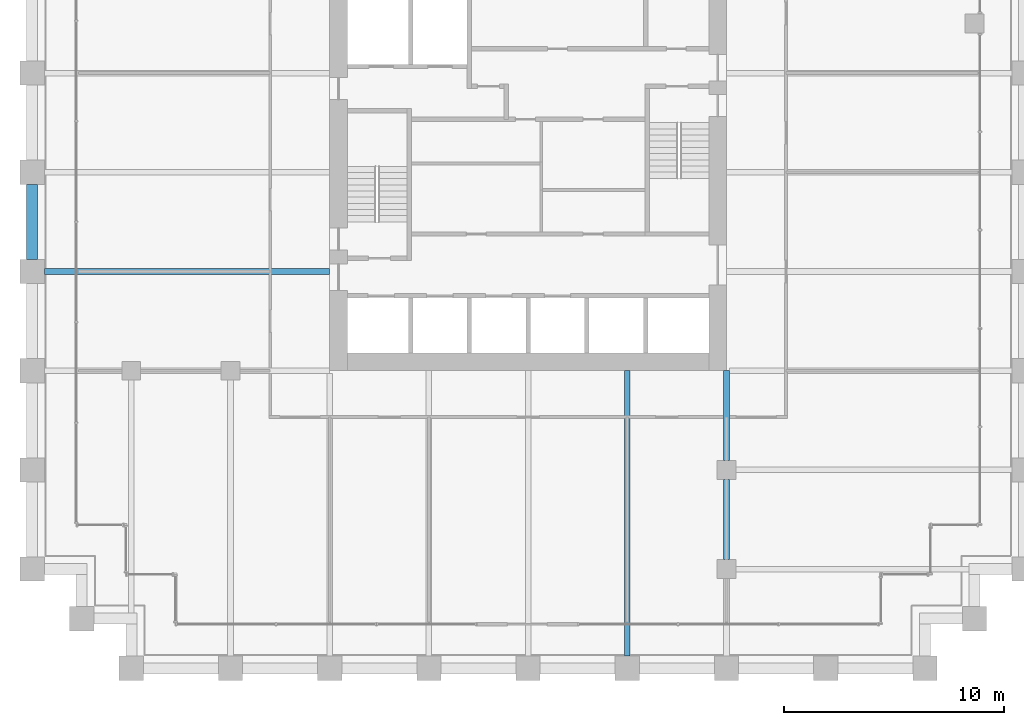
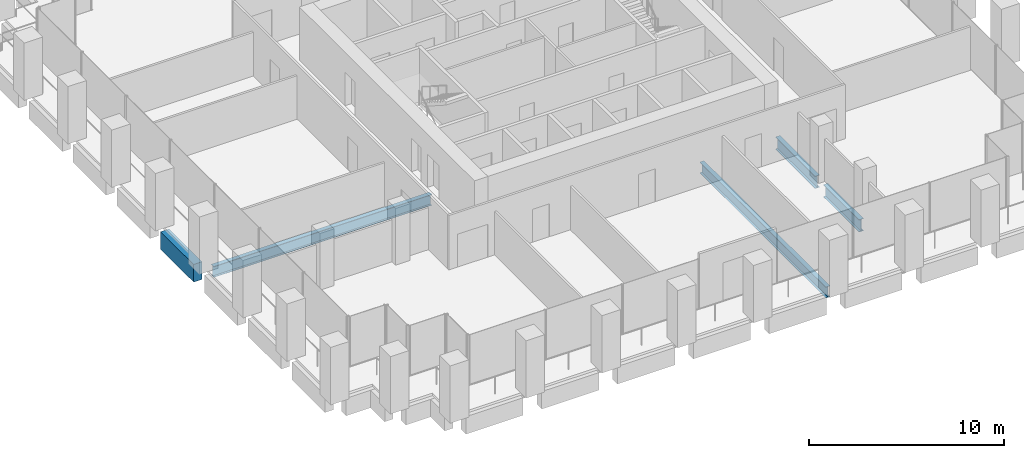
# One storey, part 10 of 56: 5 beams.
"""IFC4 building model written with IfcOpenShell, lengths in metres."""

from ifc_helpers import new_model, si_unit, direction, frame, origin, origin_2d, place, context, subcontext, project, spatial, rectangle, i_section, extrude, material, material_profile, profile_set, type_object, element, save


model = new_model("IFC4")

# Units and contexts
model_context = context("Model", 3, precision=1e-05, world=origin(), true_north=direction((0.0, 1.0)))
body_context = subcontext(model_context, "Body", "Model", "MODEL_VIEW")
ifc_project = project(units=[si_unit("LENGTHUNIT", "METRE"), si_unit("AREAUNIT", "SQUARE_METRE"), si_unit("VOLUMEUNIT", "CUBIC_METRE"), si_unit("PLANEANGLEUNIT", "RADIAN"), si_unit("MASSUNIT", "GRAM", prefix="KILO")], contexts=[model_context])

# Site, building, storey
site_placement = place(None, origin())
site = spatial("IfcSite", under=ifc_project, at=site_placement, CompositionType="ELEMENT")
building_placement = place(site_placement, origin())
building = spatial("IfcBuilding", under=site, at=building_placement, Name="Altepetl Exchange Towers", CompositionType="ELEMENT")
storey_placement = place(building_placement, frame((0.0, 0.0, 51.0)))
storey = spatial("IfcBuildingStorey", under=building, at=storey_placement, Name="L11", CompositionType="ELEMENT", Elevation=51.0)

# Beams
ifc_material_1 = material(Name="Steel S355", Category="steel")
ifc_material_profile_1 = material_profile(ifc_material_1, i_section(OverallWidth=0.25390625, OverallDepth=0.68408203125, WebThickness=0.012451171875, FlangeThickness=0.018798828125, at=origin_2d()), Name="W27X94")
ifc_profile_set_1 = profile_set([ifc_material_profile_1], Name="Steel S355")
beam_type_1 = type_object("IfcBeamType", Name="Floor beam W27X94", PredefinedType="BEAM", material=ifc_profile_set_1)
for number, where, z_axis, x_axis, name in (
    (1, (54.0, 27.550048828125, -0.491943359375), (0.0, 1.0, 0.0), (-1.0, 0.0, 0.0), "bm:A:L11:017"),
    (2, (27.550048828125, 45.0, -0.491943359375), (1.0, 0.0, 0.0), (0.0, 1.0, 0.0), "bm:A:L11:018"),
):
    element("IfcBeam", number, at=place(storey_placement, frame(where, z_axis=z_axis, x_axis=x_axis)), inside=storey, type_object=beam_type_1, Name=name, PredefinedType="BEAM", context=body_context, shape_type="SweptSolid", body=[
        extrude(i_section(OverallWidth=0.25390625, OverallDepth=0.68408203125, WebThickness=0.012451171875, FlangeThickness=0.018798828125, at=origin_2d()), origin(), (0.0, 0.0, 1.0), 12.949951171875),
    ])
ifc_material_profile_2 = material_profile(ifc_material_1, i_section(OverallWidth=0.26806640625, OverallDepth=0.77392578125, WebThickness=0.015380859375, FlangeThickness=0.025390625, at=origin_2d()), Name="W30X132")
ifc_profile_set_2 = profile_set([ifc_material_profile_2], Name="Steel S355")
beam_type_2 = type_object("IfcBeamType", Name="Girder W30X132", PredefinedType="BEAM", material=ifc_profile_set_2)
beam_1_placement = place(storey_placement, frame((58.5, 40.5, -0.537109375), z_axis=(0.0, -1.0, 0.0), x_axis=(1.0, 0.0, 0.0)))
element("IfcBeam", 3, at=beam_1_placement, inside=storey, type_object=beam_type_2, Name="gd:A:L11:006", PredefinedType="BEAM", context=body_context, shape_type="SweptSolid", body=[
    extrude(i_section(OverallWidth=0.26806640625, OverallDepth=0.77392578125, WebThickness=0.015380859375, FlangeThickness=0.025390625, at=origin_2d()), origin(), (0.0, 0.0, 1.0), 4.074951171875),
])
beam_2_placement = place(storey_placement, frame((58.5, 35.574951171875, -0.537109375), z_axis=(0.0, -1.0, 0.0), x_axis=(1.0, 0.0, 0.0)))
element("IfcBeam", 4, at=beam_2_placement, inside=storey, type_object=beam_type_2, Name="gd:A:L11:007", PredefinedType="BEAM", context=body_context, shape_type="SweptSolid", body=[
    extrude(i_section(OverallWidth=0.26806640625, OverallDepth=0.77392578125, WebThickness=0.015380859375, FlangeThickness=0.025390625, at=origin_2d()), origin(), (0.0, 0.0, 1.0), 3.64990234375),
])
ifc_material_2 = material(Name="Concrete C50/60 precast with tezontle facing", Category="concrete")
ifc_material_profile_3 = material_profile(ifc_material_2, rectangle(XDim=0.5, YDim=1.10009765625, at=origin_2d()), Name="500 x 1100")
ifc_profile_set_3 = profile_set([ifc_material_profile_3], Name="Concrete C50/60 precast with tezontle facing")
beam_type_3 = type_object("IfcBeamType", Name="Spandrel beam 500x1100 tezontle", PredefinedType="SPANDREL", material=ifc_profile_set_3)
beam_3_placement = place(storey_placement, frame((27.0, 48.949951171875, -0.699951171875), z_axis=(0.0, -1.0, 0.0), x_axis=(1.0, 0.0, 0.0)))
element("IfcBeam", 5, at=beam_3_placement, inside=storey, type_object=beam_type_3, Name="sp:A:L11:040", PredefinedType="SPANDREL", context=body_context, shape_type="SweptSolid", body=[
    extrude(rectangle(XDim=0.5, YDim=1.10009765625, at=origin_2d()), origin(), (0.0, 0.0, 1.0), 3.39990234375),
])

save(model, "model.ifc")
